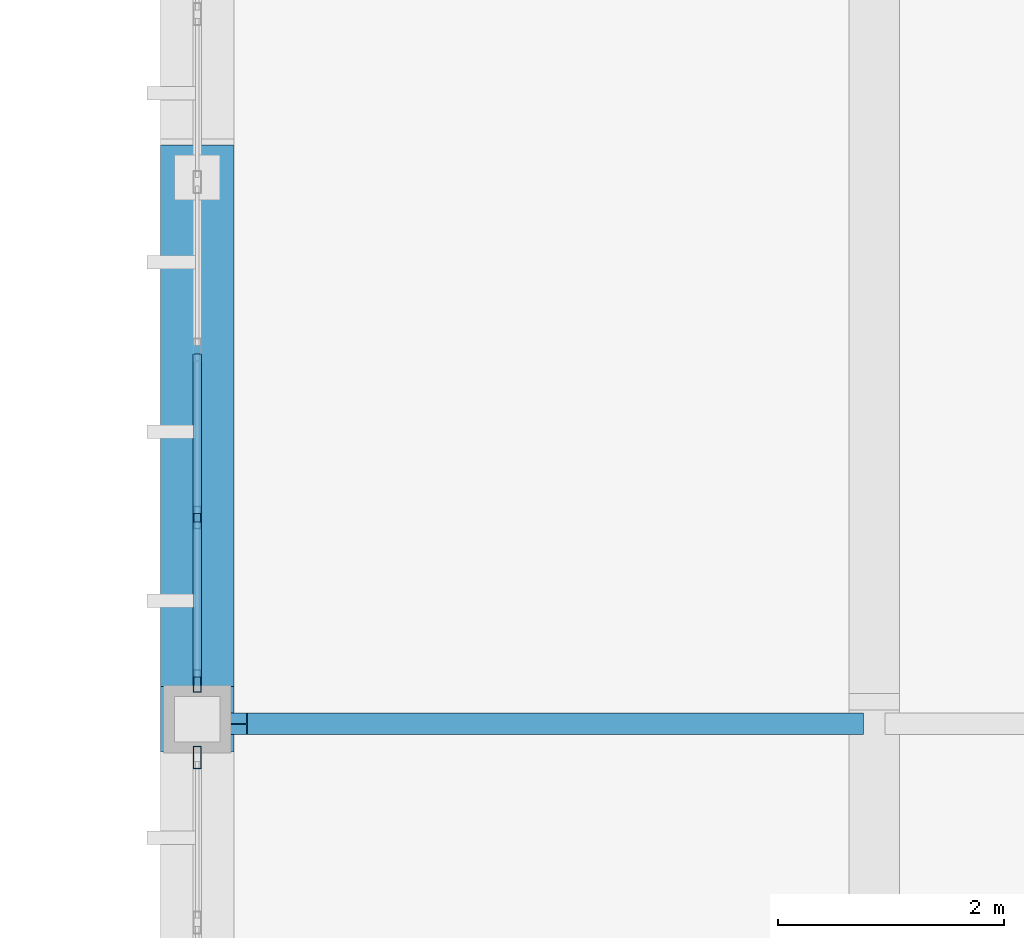
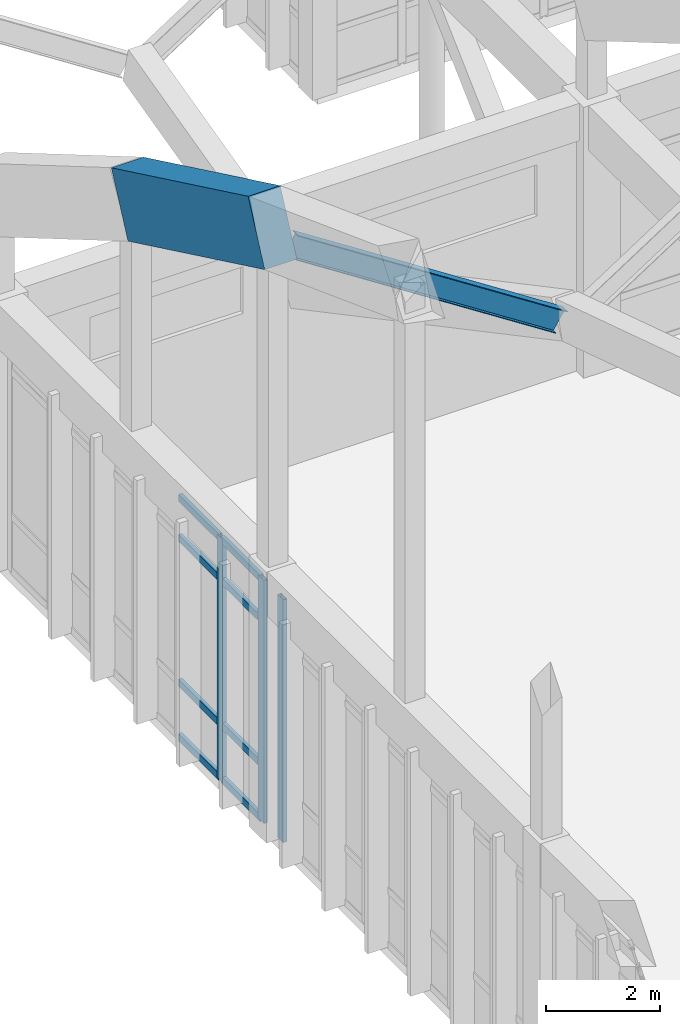
# One storey, part 68 of 236: 12 members, 1 beam, 2 elements without a shape of their own.
"""IFC4 building model written with IfcOpenShell, lengths in metres."""

from ifc_helpers import new_model, si_unit, direction, frame, origin, origin_2d, place, context, subcontext, project, spatial, rectangle, hollow_rectangle, i_section, extrude, material, layer, layer_set, material_profile, profile_set, type_object, element, aggregate, save


model = new_model("IFC4")

# Units and contexts
model_context = context("Model", 3, precision=1e-05, world=origin(), true_north=direction((0.0, 1.0)))
body_context = subcontext(model_context, "Body", "Model", "MODEL_VIEW")
ifc_project = project(units=[si_unit("LENGTHUNIT", "METRE"), si_unit("AREAUNIT", "SQUARE_METRE"), si_unit("VOLUMEUNIT", "CUBIC_METRE"), si_unit("PLANEANGLEUNIT", "RADIAN"), si_unit("MASSUNIT", "GRAM", prefix="KILO")], contexts=[model_context])

# Site, building, storey
site_placement = place(None, origin())
site = spatial("IfcSite", under=ifc_project, at=site_placement, CompositionType="ELEMENT")
building_placement = place(site_placement, origin())
building = spatial("IfcBuilding", under=site, at=building_placement, Name="Pandanus Reach Market Hall", CompositionType="ELEMENT")
storey_placement = place(building_placement, frame((0.0, 0.0, 5.39990234375)))
storey = spatial("IfcBuildingStorey", under=building, at=storey_placement, Name="L01", CompositionType="ELEMENT", Elevation=5.39990234375)

# Member
ifc_material_1 = material(Name="Concrete N50 (50 MPa)", Category="concrete")
ifc_material_profile_1 = material_profile(ifc_material_1, rectangle(XDim=0.64990234375, YDim=1.35009765625, at=origin_2d()), Name="RC650x1350", Category="LoadBearing")
ifc_profile_set_1 = profile_set([ifc_material_profile_1], Name="Concrete N50 (50 MPa)")
member_type_1 = type_object("IfcMemberType", Name="AR-RC650-E", PredefinedType="CHORD", material=ifc_profile_set_1)
member_1_placement = place(storey_placement, frame((48.0, 76.800048828125, 12.89111328125), z_axis=(0.0, 0.901832040997, -0.432086761924), x_axis=(-1.0, 0.0, 0.0)))
element("IfcMember", 1, at=member_1_placement, inside=storey, type_object=member_type_1, Name="Parabolic arch top chord A1.11", PredefinedType="CHORD", context=body_context, shape_type="SweptSolid", body=[
    extrude(rectangle(XDim=0.64990234375, YDim=1.35009765625, at=origin_2d()), origin(), (0.0, 0.0, 1.0), 5.322509765625),
])

# Beam
ifc_material_2 = material(Name="Steel Grade 350 (350 MPa)", Category="steel")
ifc_material_profile_2 = material_profile(ifc_material_2, i_section(OverallWidth=0.18994140625, OverallDepth=0.45703125, WebThickness=0.009033203125, FlangeThickness=0.014404296875, at=origin_2d()), Name="460UB74.6", Category="LoadBearing")
ifc_profile_set_2 = profile_set([ifc_material_profile_2], Name="Steel Grade 350 (350 MPa)")
beam_type = type_object("IfcBeamType", Name="BM-UB460-I", PredefinedType="BEAM", material=ifc_profile_set_2)
beam_placement = place(storey_placement, frame((48.320068359375, 76.760009765625, 12.458251953125), z_axis=(0.839070527962, 0.0, -0.544022654956), x_axis=(0.0, 1.0, 0.0)))
element("IfcBeam", 2, at=beam_placement, inside=storey, type_object=beam_type, Name="Butterfly transverse rib B1.6L", PredefinedType="BEAM", context=body_context, shape_type="SweptSolid", body=[
    extrude(i_section(OverallWidth=0.18994140625, OverallDepth=0.45703125, WebThickness=0.009033203125, FlangeThickness=0.014404296875, at=origin_2d()), origin(), (0.0, 0.0, 1.0), 6.507080078125),
])

# Curtain wall, member
ifc_material_3 = material(Name="Bronze anodised aluminium and low-E glass", Category="aluminium")
ifc_layer_1 = layer(ifc_material_3, 0.199951171875, Name="CW-05")
ifc_layer_set_1 = layer_set([ifc_layer_1], Name="Bronze anodised aluminium and low-E glass")
curtain_wall_type_1 = type_object("IfcCurtainWallType", Name="CW-05", PredefinedType="NOTDEFINED", material=ifc_layer_set_1)
curtain_wall_1_placement = place(storey_placement, origin())
curtain_wall_1 = element("IfcCurtainWall", 3, at=curtain_wall_1_placement, inside=storey, type_object=curtain_wall_type_1, Name="Glazed curtain wall CW-05 CW-0032", PredefinedType="NOTDEFINED")
ifc_material_4 = material(Name="Bronze anodised aluminium", Category="aluminium")
ifc_material_profile_3 = material_profile(ifc_material_4, hollow_rectangle(XDim=0.074951171875, YDim=0.199951171875, WallThickness=0.00439453125, at=origin_2d()), Name="ALU75x200", Category="LoadBearing")
ifc_profile_set_3 = profile_set([ifc_material_profile_3], Name="Bronze anodised aluminium")
member_type_2 = type_object("IfcMemberType", Name="CW-M2", PredefinedType="MULLION", material=ifc_profile_set_3)
member_2_placement = place(storey_placement, frame((48.0, 76.46240234375, 0.0), z_axis=(0.0, 0.0, 1.0), x_axis=(-1.0, 0.0, 0.0)))
member_2 = element("IfcMember", 4, at=member_2_placement, type_object=member_type_2, Name="CW-05 mullion 7", PredefinedType="MULLION", context=body_context, shape_type="SweptSolid", body=[
    extrude(hollow_rectangle(XDim=0.074951171875, YDim=0.199951171875, WallThickness=0.00439453125, at=origin_2d()), origin(), (0.0, 0.0, 1.0), 5.2001953125),
])
aggregate(curtain_wall_1, [member_2])

# Curtain wall, members
ifc_layer_2 = layer(ifc_material_3, 0.199951171875, Name="CW-04")
ifc_layer_set_2 = layer_set([ifc_layer_2], Name="Bronze anodised aluminium and low-E glass")
curtain_wall_type_2 = type_object("IfcCurtainWallType", Name="CW-04", PredefinedType="NOTDEFINED", material=ifc_layer_set_2)
curtain_wall_2_placement = place(storey_placement, origin())
curtain_wall_2 = element("IfcCurtainWall", 5, at=curtain_wall_2_placement, inside=storey, type_object=curtain_wall_type_2, Name="Glazed curtain wall CW-04 CW-0035", PredefinedType="NOTDEFINED")
member_3_placement = place(storey_placement, frame((48.0, 77.137451171875, 0.0), z_axis=(0.0, 0.0, 1.0), x_axis=(-1.0, 0.0, 0.0)))
member_3 = element("IfcMember", 6, at=member_3_placement, type_object=member_type_2, Name="CW-04 mullion 1", PredefinedType="MULLION", context=body_context, shape_type="SweptSolid", body=[
    extrude(hollow_rectangle(XDim=0.074951171875, YDim=0.199951171875, WallThickness=0.00439453125, at=origin_2d()), origin(), (0.0, 0.0, 1.0), 5.2001953125),
])
member_4_placement = place(storey_placement, frame((48.0, 78.58740234375, 0.0), z_axis=(0.0, 0.0, 1.0), x_axis=(-1.0, 0.0, 0.0)))
member_4 = element("IfcMember", 7, at=member_4_placement, type_object=member_type_2, Name="CW-04 mullion 2", PredefinedType="MULLION", context=body_context, shape_type="SweptSolid", body=[
    extrude(hollow_rectangle(XDim=0.074951171875, YDim=0.199951171875, WallThickness=0.00439453125, at=origin_2d()), origin(), (0.0, 0.0, 1.0), 5.2001953125),
])
ifc_material_profile_4 = material_profile(ifc_material_4, hollow_rectangle(XDim=0.074951171875, YDim=0.14990234375, WallThickness=0.00439453125, at=origin_2d()), Name="ALU75x150", Category="LoadBearing")
ifc_profile_set_4 = profile_set([ifc_material_profile_4], Name="Bronze anodised aluminium")
member_type_3 = type_object("IfcMemberType", Name="CW-T2", PredefinedType="USERDEFINED", material=ifc_profile_set_4)
member_5_placement = place(storey_placement, frame((48.0, 77.175048828125, 0.03759765625), z_axis=(0.0, 1.0, 0.0), x_axis=(-1.0, 0.0, 0.0)))
member_5 = element("IfcMember", 8, at=member_5_placement, type_object=member_type_3, Name="CW-04 transom 1.1", ObjectType="TRANSOM", PredefinedType="USERDEFINED", context=body_context, shape_type="SweptSolid", body=[
    extrude(hollow_rectangle(XDim=0.074951171875, YDim=0.14990234375, WallThickness=0.00439453125, at=origin_2d()), origin(), (0.0, 0.0, 1.0), 1.375),
])
member_6_placement = place(storey_placement, frame((48.0, 77.175048828125, 1.2001953125), z_axis=(0.0, 1.0, 0.0), x_axis=(-1.0, 0.0, 0.0)))
member_6 = element("IfcMember", 9, at=member_6_placement, type_object=member_type_3, Name="CW-04 transom 1.2", ObjectType="TRANSOM", PredefinedType="USERDEFINED", context=body_context, shape_type="SweptSolid", body=[
    extrude(hollow_rectangle(XDim=0.074951171875, YDim=0.14990234375, WallThickness=0.00439453125, at=origin_2d()), origin(), (0.0, 0.0, 1.0), 1.375),
])
member_7_placement = place(storey_placement, frame((48.0, 77.175048828125, 4.300048828125), z_axis=(0.0, 1.0, 0.0), x_axis=(-1.0, 0.0, 0.0)))
member_7 = element("IfcMember", 10, at=member_7_placement, type_object=member_type_3, Name="CW-04 transom 1.3", ObjectType="TRANSOM", PredefinedType="USERDEFINED", context=body_context, shape_type="SweptSolid", body=[
    extrude(hollow_rectangle(XDim=0.074951171875, YDim=0.14990234375, WallThickness=0.00439453125, at=origin_2d()), origin(), (0.0, 0.0, 1.0), 1.375),
])
member_8_placement = place(storey_placement, frame((48.0, 77.175048828125, 5.16259765625), z_axis=(0.0, 1.0, 0.0), x_axis=(-1.0, 0.0, 0.0)))
member_8 = element("IfcMember", 11, at=member_8_placement, type_object=member_type_3, Name="CW-04 transom 1.4", ObjectType="TRANSOM", PredefinedType="USERDEFINED", context=body_context, shape_type="SweptSolid", body=[
    extrude(hollow_rectangle(XDim=0.074951171875, YDim=0.14990234375, WallThickness=0.00439453125, at=origin_2d()), origin(), (0.0, 0.0, 1.0), 1.375),
])
member_9_placement = place(storey_placement, frame((48.0, 78.625, 0.03759765625), z_axis=(0.0, 1.0, 0.0), x_axis=(-1.0, 0.0, 0.0)))
member_9 = element("IfcMember", 12, at=member_9_placement, type_object=member_type_3, Name="CW-04 transom 2.1", ObjectType="TRANSOM", PredefinedType="USERDEFINED", context=body_context, shape_type="SweptSolid", body=[
    extrude(hollow_rectangle(XDim=0.074951171875, YDim=0.14990234375, WallThickness=0.00439453125, at=origin_2d()), origin(), (0.0, 0.0, 1.0), 1.41259765625),
])
member_10_placement = place(storey_placement, frame((48.0, 78.625, 1.2001953125), z_axis=(0.0, 1.0, 0.0), x_axis=(-1.0, 0.0, 0.0)))
member_10 = element("IfcMember", 13, at=member_10_placement, type_object=member_type_3, Name="CW-04 transom 2.2", ObjectType="TRANSOM", PredefinedType="USERDEFINED", context=body_context, shape_type="SweptSolid", body=[
    extrude(hollow_rectangle(XDim=0.074951171875, YDim=0.14990234375, WallThickness=0.00439453125, at=origin_2d()), origin(), (0.0, 0.0, 1.0), 1.41259765625),
])
member_11_placement = place(storey_placement, frame((48.0, 78.625, 4.300048828125), z_axis=(0.0, 1.0, 0.0), x_axis=(-1.0, 0.0, 0.0)))
member_11 = element("IfcMember", 14, at=member_11_placement, type_object=member_type_3, Name="CW-04 transom 2.3", ObjectType="TRANSOM", PredefinedType="USERDEFINED", context=body_context, shape_type="SweptSolid", body=[
    extrude(hollow_rectangle(XDim=0.074951171875, YDim=0.14990234375, WallThickness=0.00439453125, at=origin_2d()), origin(), (0.0, 0.0, 1.0), 1.41259765625),
])
member_12_placement = place(storey_placement, frame((48.0, 78.625, 5.16259765625), z_axis=(0.0, 1.0, 0.0), x_axis=(-1.0, 0.0, 0.0)))
member_12 = element("IfcMember", 15, at=member_12_placement, type_object=member_type_3, Name="CW-04 transom 2.4", ObjectType="TRANSOM", PredefinedType="USERDEFINED", context=body_context, shape_type="SweptSolid", body=[
    extrude(hollow_rectangle(XDim=0.074951171875, YDim=0.14990234375, WallThickness=0.00439453125, at=origin_2d()), origin(), (0.0, 0.0, 1.0), 1.41259765625),
])
aggregate(curtain_wall_2, [member_3, member_4, member_5, member_6, member_7, member_8, member_9, member_10, member_11, member_12])

save(model, "model.ifc")
